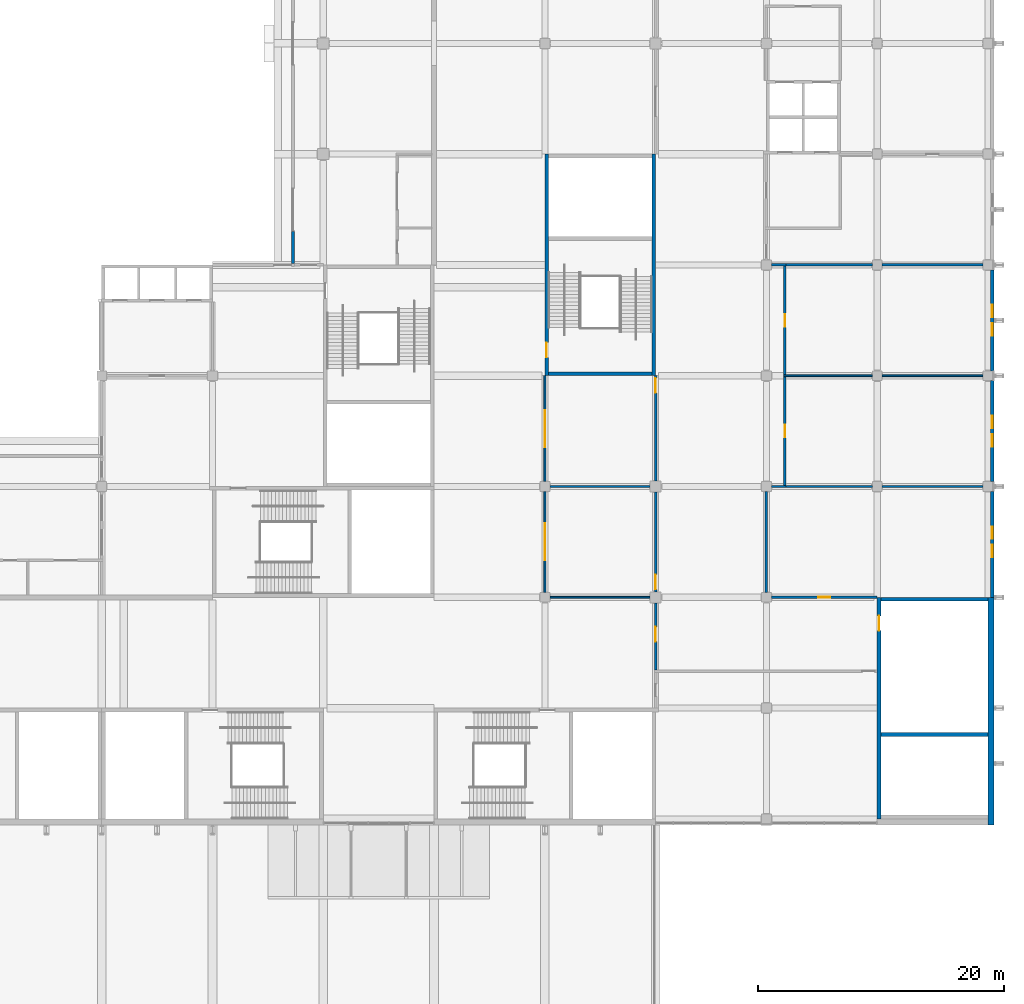
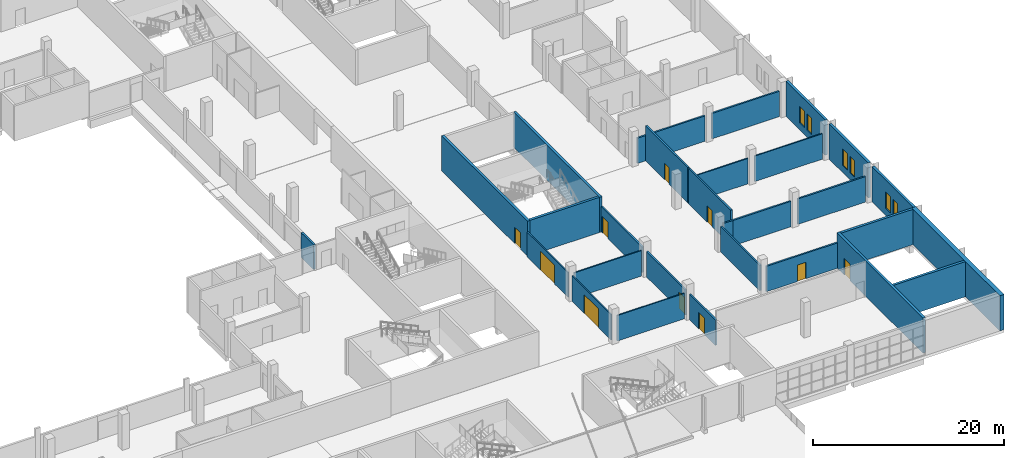
# One storey, part 101 of 168: 30 walls, 10 doors, 6 windows, 16 openings.
"""IFC4 building model written with IfcOpenShell, lengths in metres."""

from ifc_helpers import new_model, si_unit, direction, frame, frame_2d, origin, place, context, subcontext, project, spatial, rectangle, extrude, material, layer, layer_set, type_object, element, fill, save


model = new_model("IFC4")

# Units and contexts
model_context = context("Model", 3, precision=1e-05, world=origin(), true_north=direction((0.0, 1.0)))
body_context = subcontext(model_context, "Body", "Model", "MODEL_VIEW")
ifc_project = project(units=[si_unit("LENGTHUNIT", "METRE"), si_unit("AREAUNIT", "SQUARE_METRE"), si_unit("VOLUMEUNIT", "CUBIC_METRE"), si_unit("PLANEANGLEUNIT", "RADIAN"), si_unit("MASSUNIT", "GRAM", prefix="KILO")], contexts=[model_context])

# Site, building, storey
site_placement = place(None, origin())
site = spatial("IfcSite", under=ifc_project, at=site_placement, CompositionType="ELEMENT")
building_placement = place(site_placement, origin())
building = spatial("IfcBuilding", under=site, at=building_placement, Name="Silverbay Arena", CompositionType="ELEMENT")
storey_placement = place(building_placement, frame((0.0, 0.0, 7.0)))
storey = spatial("IfcBuildingStorey", under=building, at=storey_placement, Name="L01", CompositionType="ELEMENT", Elevation=7.0)

# Wall, openings, windows
ifc_material_1 = material(Name="Concrete Grade C45 precast, board-marked finish", Category="concrete")
ifc_layer_1 = layer(ifc_material_1, 0.300048828125)
ifc_layer_set_1 = layer_set([ifc_layer_1], Name="Concrete Grade C45 precast, board-marked finish")
wall_type_1 = type_object("IfcWallType", Name="Board-marked precast wall 300", PredefinedType="SOLIDWALL", material=ifc_layer_set_1)
wall_1_placement = place(storey_placement, frame((234.35009765625, 36.0, 0.0), z_axis=(0.0, 0.0, 1.0), x_axis=(0.0, 1.0, 0.0)))
wall_1 = element("IfcWall", 1, at=wall_1_placement, inside=storey, type_object=wall_type_1, Name="East external wall L01 bay 3", PredefinedType="SOLIDWALL", context=body_context, shape_type="SweptSolid", body=[
    extrude(rectangle(XDim=8.60009765625, YDim=0.300048828125, at=frame_2d((4.300048828125, 0.0))), origin(), (0.0, 0.0, 1.0), 4.5),
])
opening_1_placement = place(wall_1_placement, frame((3.25, 0.0, 0.89990234375)))
opening_1 = element("IfcOpeningElement", 2, at=opening_1_placement, cuts=wall_1, Name="Opening WN1", PredefinedType="OPENING", context=body_context, shape_type="SweptSolid", body=[
    extrude(rectangle(XDim=1.0, YDim=2.10009765625, at=frame_2d((0.5, 1.050048828125))), frame((0.0, 0.16015625, 0.0), z_axis=(0.0, -1.0, 0.0), x_axis=(1.0, 0.0, 0.0)), (0.0, 0.0, 1.0), 0.320068359375),
])
opening_2_placement = place(wall_1_placement, frame((4.75, 0.0, 0.89990234375)))
opening_2 = element("IfcOpeningElement", 3, at=opening_2_placement, cuts=wall_1, Name="Opening WN1", PredefinedType="OPENING", context=body_context, shape_type="SweptSolid", body=[
    extrude(rectangle(XDim=1.0, YDim=2.10009765625, at=frame_2d((0.5, 1.050048828125))), frame((0.0, 0.16015625, 0.0), z_axis=(0.0, -1.0, 0.0), x_axis=(1.0, 0.0, 0.0)), (0.0, 0.0, 1.0), 0.320068359375),
])
ifc_material_2 = material(Name="Aluminium frame with double glazing", Category="aluminium")
window_type = type_object("IfcWindowType", Name="Window 1000 x 2100", PartitioningType="SINGLE_PANEL", PredefinedType="WINDOW", material=ifc_material_2)
window_1_placement = place(opening_1_placement, origin())
window_1 = element("IfcWindow", 4, at=window_1_placement, inside=storey, type_object=window_type, Name="East facade window L01 bay 3.1", OverallHeight=2.10009765625, OverallWidth=1.0, PartitioningType="SINGLE_PANEL", PredefinedType="WINDOW", context=body_context, shape_type="SweptSolid", body=[
    extrude(rectangle(XDim=1.0, YDim=2.10009765625, at=frame_2d((0.5, 1.050048828125))), frame((0.0, 0.030029296875, 0.0), z_axis=(0.0, -1.0, 0.0), x_axis=(1.0, 0.0, 0.0)), (0.0, 0.0, 1.0), 0.06005859375),
])
fill(opening_1, window_1)
window_2_placement = place(opening_2_placement, origin())
window_2 = element("IfcWindow", 5, at=window_2_placement, inside=storey, type_object=window_type, Name="East facade window L01 bay 3.2", OverallHeight=2.10009765625, OverallWidth=1.0, PartitioningType="SINGLE_PANEL", PredefinedType="WINDOW", context=body_context, shape_type="SweptSolid", body=[
    extrude(rectangle(XDim=1.0, YDim=2.10009765625, at=frame_2d((0.5, 1.050048828125))), frame((0.0, 0.030029296875, 0.0), z_axis=(0.0, -1.0, 0.0), x_axis=(1.0, 0.0, 0.0)), (0.0, 0.0, 1.0), 0.06005859375),
])
fill(opening_2, window_2)

wall_2_placement = place(storey_placement, frame((234.35009765625, 45.39990234375, 0.0), z_axis=(0.0, 0.0, 1.0), x_axis=(0.0, 1.0, 0.0)))
wall_2 = element("IfcWall", 6, at=wall_2_placement, inside=storey, type_object=wall_type_1, Name="East external wall L01 bay 4", PredefinedType="SOLIDWALL", context=body_context, shape_type="SweptSolid", body=[
    extrude(rectangle(XDim=8.2001953125, YDim=0.300048828125, at=frame_2d((4.10009765625, 0.0))), origin(), (0.0, 0.0, 1.0), 4.5),
])
opening_3_placement = place(wall_2_placement, frame((2.85009765625, 0.0, 0.89990234375)))
opening_3 = element("IfcOpeningElement", 7, at=opening_3_placement, cuts=wall_2, Name="Opening WN1", PredefinedType="OPENING", context=body_context, shape_type="SweptSolid", body=[
    extrude(rectangle(XDim=1.0, YDim=2.10009765625, at=frame_2d((0.5, 1.050048828125))), frame((0.0, 0.16015625, 0.0), z_axis=(0.0, -1.0, 0.0), x_axis=(1.0, 0.0, 0.0)), (0.0, 0.0, 1.0), 0.320068359375),
])
opening_4_placement = place(wall_2_placement, frame((4.35009765625, 0.0, 0.89990234375)))
opening_4 = element("IfcOpeningElement", 8, at=opening_4_placement, cuts=wall_2, Name="Opening WN1", PredefinedType="OPENING", context=body_context, shape_type="SweptSolid", body=[
    extrude(rectangle(XDim=1.0, YDim=2.10009765625, at=frame_2d((0.5, 1.050048828125))), frame((0.0, 0.16015625, 0.0), z_axis=(0.0, -1.0, 0.0), x_axis=(1.0, 0.0, 0.0)), (0.0, 0.0, 1.0), 0.320068359375),
])
window_3_placement = place(opening_3_placement, origin())
window_3 = element("IfcWindow", 9, at=window_3_placement, inside=storey, type_object=window_type, Name="East facade window L01 bay 4.1", OverallHeight=2.10009765625, OverallWidth=1.0, PartitioningType="SINGLE_PANEL", PredefinedType="WINDOW", context=body_context, shape_type="SweptSolid", body=[
    extrude(rectangle(XDim=1.0, YDim=2.10009765625, at=frame_2d((0.5, 1.050048828125))), frame((0.0, 0.030029296875, 0.0), z_axis=(0.0, -1.0, 0.0), x_axis=(1.0, 0.0, 0.0)), (0.0, 0.0, 1.0), 0.06005859375),
])
fill(opening_3, window_3)
window_4_placement = place(opening_4_placement, origin())
window_4 = element("IfcWindow", 10, at=window_4_placement, inside=storey, type_object=window_type, Name="East facade window L01 bay 4.2", OverallHeight=2.10009765625, OverallWidth=1.0, PartitioningType="SINGLE_PANEL", PredefinedType="WINDOW", context=body_context, shape_type="SweptSolid", body=[
    extrude(rectangle(XDim=1.0, YDim=2.10009765625, at=frame_2d((0.5, 1.050048828125))), frame((0.0, 0.030029296875, 0.0), z_axis=(0.0, -1.0, 0.0), x_axis=(1.0, 0.0, 0.0)), (0.0, 0.0, 1.0), 0.06005859375),
])
fill(opening_4, window_4)

wall_3_placement = place(storey_placement, frame((234.35009765625, 54.39990234375, 0.0), z_axis=(0.0, 0.0, 1.0), x_axis=(0.0, 1.0, 0.0)))
wall_3 = element("IfcWall", 11, at=wall_3_placement, inside=storey, type_object=wall_type_1, Name="East external wall L01 bay 5", PredefinedType="SOLIDWALL", context=body_context, shape_type="SweptSolid", body=[
    extrude(rectangle(XDim=8.2001953125, YDim=0.300048828125, at=frame_2d((4.10009765625, 0.0))), origin(), (0.0, 0.0, 1.0), 4.5),
])
opening_5_placement = place(wall_3_placement, frame((2.85009765625, 0.0, 0.89990234375)))
opening_5 = element("IfcOpeningElement", 12, at=opening_5_placement, cuts=wall_3, Name="Opening WN1", PredefinedType="OPENING", context=body_context, shape_type="SweptSolid", body=[
    extrude(rectangle(XDim=1.0, YDim=2.10009765625, at=frame_2d((0.5, 1.050048828125))), frame((0.0, 0.16015625, 0.0), z_axis=(0.0, -1.0, 0.0), x_axis=(1.0, 0.0, 0.0)), (0.0, 0.0, 1.0), 0.320068359375),
])
opening_6_placement = place(wall_3_placement, frame((4.35009765625, 0.0, 0.89990234375)))
opening_6 = element("IfcOpeningElement", 13, at=opening_6_placement, cuts=wall_3, Name="Opening WN1", PredefinedType="OPENING", context=body_context, shape_type="SweptSolid", body=[
    extrude(rectangle(XDim=1.0, YDim=2.10009765625, at=frame_2d((0.5, 1.050048828125))), frame((0.0, 0.16015625, 0.0), z_axis=(0.0, -1.0, 0.0), x_axis=(1.0, 0.0, 0.0)), (0.0, 0.0, 1.0), 0.320068359375),
])
window_5_placement = place(opening_5_placement, origin())
window_5 = element("IfcWindow", 14, at=window_5_placement, inside=storey, type_object=window_type, Name="East facade window L01 bay 5.1", OverallHeight=2.10009765625, OverallWidth=1.0, PartitioningType="SINGLE_PANEL", PredefinedType="WINDOW", context=body_context, shape_type="SweptSolid", body=[
    extrude(rectangle(XDim=1.0, YDim=2.10009765625, at=frame_2d((0.5, 1.050048828125))), frame((0.0, 0.030029296875, 0.0), z_axis=(0.0, -1.0, 0.0), x_axis=(1.0, 0.0, 0.0)), (0.0, 0.0, 1.0), 0.06005859375),
])
fill(opening_5, window_5)
window_6_placement = place(opening_6_placement, origin())
window_6 = element("IfcWindow", 15, at=window_6_placement, inside=storey, type_object=window_type, Name="East facade window L01 bay 5.2", OverallHeight=2.10009765625, OverallWidth=1.0, PartitioningType="SINGLE_PANEL", PredefinedType="WINDOW", context=body_context, shape_type="SweptSolid", body=[
    extrude(rectangle(XDim=1.0, YDim=2.10009765625, at=frame_2d((0.5, 1.050048828125))), frame((0.0, 0.030029296875, 0.0), z_axis=(0.0, -1.0, 0.0), x_axis=(1.0, 0.0, 0.0)), (0.0, 0.0, 1.0), 0.06005859375),
])
fill(opening_6, window_6)

# Wall
ifc_material_3 = material(Name="Concrete Grade C45", Category="concrete")
ifc_layer_2 = layer(ifc_material_3, 0.25)
ifc_layer_set_2 = layer_set([ifc_layer_2], Name="Concrete Grade C45")
wall_type_2 = type_object("IfcWallType", Name="Bowl enclosure wall RC 250 EI 120", PredefinedType="SOLIDWALL", material=ifc_layer_set_2)
wall_4_placement = place(storey_placement, frame((177.52490234375, 63.125, 0.0), z_axis=(0.0, 0.0, 1.0), x_axis=(0.0, 1.0, 0.0)))
element("IfcWall", 16, at=wall_4_placement, inside=storey, type_object=wall_type_2, Name="Bowl enclosure wall, East stand", PredefinedType="SOLIDWALL", context=body_context, shape_type="SweptSolid", body=[
    extrude(rectangle(XDim=2.574951171875, YDim=0.25, at=frame_2d((1.28759765625, 0.0))), origin(), (0.0, 0.0, 1.0), 3.14990234375),
])

# Wall, opening, door
ifc_material_4 = material(Name="Concrete Grade C45", Category="concrete")
ifc_layer_3 = layer(ifc_material_4, 0.300048828125)
ifc_layer_set_3 = layer_set([ifc_layer_3], Name="Concrete Grade C45")
wall_type_3 = type_object("IfcWallType", Name="Core wall RC 300 EI 120", PredefinedType="SHEAR", material=ifc_layer_set_3)
wall_5_placement = place(storey_placement, frame((198.14990234375, 54.0, 0.0), z_axis=(0.0, 0.0, 1.0), x_axis=(0.0, 1.0, 0.0)))
wall_5 = element("IfcWall", 17, at=wall_5_placement, inside=storey, type_object=wall_type_3, Name="Core wall ST-E1 L01 door side", PredefinedType="SHEAR", context=body_context, shape_type="SweptSolid", body=[
    extrude(rectangle(XDim=18.0, YDim=0.300048828125, at=frame_2d((9.0, 0.0))), origin(), (0.0, 0.0, 1.0), 4.5),
])
opening_7_placement = place(wall_5_placement, frame((1.5, 0.0, 0.0)))
opening_7 = element("IfcOpeningElement", 18, at=opening_7_placement, cuts=wall_5, Name="Opening L01-115", PredefinedType="OPENING", context=body_context, shape_type="SweptSolid", body=[
    extrude(rectangle(XDim=1.199951171875, YDim=2.10009765625, at=frame_2d((0.60009765625, 1.050048828125))), frame((0.0, 0.16015625, 0.0), z_axis=(0.0, -1.0, 0.0), x_axis=(1.0, 0.0, 0.0)), (0.0, 0.0, 1.0), 0.320068359375),
])
ifc_material_5 = material(Name="Steel fire door", Category="steel")
door_type_1 = type_object("IfcDoorType", Name="Stair door 1200 x 2100 fire door", OperationType="SINGLE_SWING_LEFT", PredefinedType="DOOR", material=ifc_material_5)
door_1_placement = place(opening_7_placement, frame((1.199951171875, 0.0, 0.0), z_axis=(0.0, 0.0, 1.0), x_axis=(-1.0, 0.0, 0.0)))
door_1 = element("IfcDoor", 19, at=door_1_placement, inside=storey, type_object=door_type_1, Name="Stair door ST-E1 L01", OperationType="SINGLE_SWING_RIGHT", OverallHeight=2.10009765625, OverallWidth=1.199951171875, PredefinedType="DOOR", context=body_context, shape_type="SweptSolid", body=[
    extrude(rectangle(XDim=1.199951171875, YDim=2.10009765625, at=frame_2d((0.60009765625, 1.050048828125))), frame((0.0, 0.02490234375, 0.0), z_axis=(0.0, -1.0, 0.0), x_axis=(1.0, 0.0, 0.0)), (0.0, 0.0, 1.0), 0.050048828125),
])
fill(opening_7, door_1)

# Walls
wall_6_placement = place(storey_placement, frame((206.85009765625, 54.0, 0.0), z_axis=(0.0, 0.0, 1.0), x_axis=(0.0, 1.0, 0.0)))
element("IfcWall", 20, at=wall_6_placement, inside=storey, type_object=wall_type_3, Name="Core wall ST-E1 L01 far side", PredefinedType="SHEAR", context=body_context, shape_type="SweptSolid", body=[
    extrude(rectangle(XDim=18.0, YDim=0.300048828125, at=frame_2d((9.0, 0.0))), origin(), (0.0, 0.0, 1.0), 4.5),
])
wall_7_placement = place(storey_placement, frame((198.300048828125, 54.14990234375, 0.0), z_axis=(0.0, 0.0, 1.0), x_axis=(1.0, 0.0, 0.0)))
element("IfcWall", 21, at=wall_7_placement, inside=storey, type_object=wall_type_3, Name="Core wall ST-E1 L01 end 1", PredefinedType="SHEAR", context=body_context, shape_type="SweptSolid", body=[
    extrude(rectangle(XDim=8.39990234375, YDim=0.300048828125, at=frame_2d((4.199951171875, 0.0))), origin(), (0.0, 0.0, 1.0), 4.5),
])

# Wall, opening, door
wall_8_placement = place(storey_placement, frame((225.14990234375, 36.0, 0.0), z_axis=(0.0, 0.0, 1.0), x_axis=(0.0, -1.0, 0.0)))
wall_8 = element("IfcWall", 22, at=wall_8_placement, inside=storey, type_object=wall_type_3, Name="Core wall ST-EG1 L01 door side", PredefinedType="SHEAR", context=body_context, shape_type="SweptSolid", body=[
    extrude(rectangle(XDim=18.0, YDim=0.300048828125, at=frame_2d((9.0, 0.0))), origin(), (0.0, 0.0, 1.0), 4.5),
])
opening_8_placement = place(wall_8_placement, frame((1.5, 0.0, 0.0)))
opening_8 = element("IfcOpeningElement", 23, at=opening_8_placement, cuts=wall_8, Name="Opening L01-127", PredefinedType="OPENING", context=body_context, shape_type="SweptSolid", body=[
    extrude(rectangle(XDim=1.199951171875, YDim=2.10009765625, at=frame_2d((0.60009765625, 1.050048828125))), frame((0.0, 0.16015625, 0.0), z_axis=(0.0, -1.0, 0.0), x_axis=(1.0, 0.0, 0.0)), (0.0, 0.0, 1.0), 0.320068359375),
])
door_2_placement = place(opening_8_placement, origin())
door_2 = element("IfcDoor", 24, at=door_2_placement, inside=storey, type_object=door_type_1, Name="Stair door ST-EG1 L01", OperationType="SINGLE_SWING_LEFT", OverallHeight=2.10009765625, OverallWidth=1.199951171875, PredefinedType="DOOR", context=body_context, shape_type="SweptSolid", body=[
    extrude(rectangle(XDim=1.199951171875, YDim=2.10009765625, at=frame_2d((0.60009765625, 1.050048828125))), frame((0.0, 0.02490234375, 0.0), z_axis=(0.0, -1.0, 0.0), x_axis=(1.0, 0.0, 0.0)), (0.0, 0.0, 1.0), 0.050048828125),
])
fill(opening_8, door_2)

# Walls
for number, where, z_axis, x_axis, name in (
    (25, (225.300048828125, 35.85009765625, 0.0), (0.0, 0.0, 1.0), (1.0, 0.0, 0.0), "Core wall ST-EG1 L01 end 1"),
    (26, (225.300048828125, 24.85009765625, 0.0), (0.0, 0.0, 1.0), (1.0, 0.0, 0.0), "Core wall ST-EG1 L01 stair enclosure"),
):
    element("IfcWall", number, at=place(storey_placement, frame(where, z_axis=z_axis, x_axis=x_axis)), inside=storey, type_object=wall_type_3, Name=name, PredefinedType="SHEAR", context=body_context, shape_type="SweptSolid", body=[
        extrude(rectangle(XDim=8.699951171875, YDim=0.300048828125, at=frame_2d((4.35009765625, 0.0))), origin(), (0.0, 0.0, 1.0), 4.5),
    ])
ifc_material_6 = material(Name="Concrete Grade C45", Category="concrete")
ifc_layer_4 = layer(ifc_material_6, 0.5)
ifc_layer_set_4 = layer_set([ifc_layer_4], Name="Concrete Grade C45")
wall_type_4 = type_object("IfcWallType", Name="Core wall RC 500 external EI 120", PredefinedType="SHEAR", material=ifc_layer_set_4)
wall_9_placement = place(storey_placement, frame((234.25, 36.0, 0.0), z_axis=(0.0, 0.0, 1.0), x_axis=(0.0, -1.0, 0.0)))
element("IfcWall", 27, at=wall_9_placement, inside=storey, type_object=wall_type_4, Name="Core wall ST-EG1 L01 facade side", PredefinedType="SHEAR", context=body_context, shape_type="SweptSolid", body=[
    extrude(rectangle(XDim=18.5, YDim=0.5, at=frame_2d((9.25, 0.0))), origin(), (0.0, 0.0, 1.0), 4.5),
])
ifc_material_7 = material(Name="Gypsum board partition on steel studs", Category="steel")
ifc_layer_5 = layer(ifc_material_7, 0.14990234375)
ifc_layer_set_5 = layer_set([ifc_layer_5], Name="Gypsum board partition on steel studs")
wall_type_5 = type_object("IfcWallType", Name="Partition 150 EI 60", PredefinedType="PARTITIONING", material=ifc_layer_set_5)
for number, where, z_axis, x_axis, name in (
    (28, (198.39990234375, 36.0, 0.0), (0.0, 0.0, 1.0), (1.0, 0.0, 0.0), "Partition wall"),
    (29, (198.39990234375, 45.0, 0.0), (0.0, 0.0, 1.0), (1.0, 0.0, 0.0), "Partition wall"),
):
    element("IfcWall", number, at=place(storey_placement, frame(where, z_axis=z_axis, x_axis=x_axis)), inside=storey, type_object=wall_type_5, Name=name, PredefinedType="PARTITIONING", context=body_context, shape_type="SweptSolid", body=[
        extrude(rectangle(XDim=8.150146484375, YDim=0.14990234375, at=frame_2d((4.0751953125, 0.0))), origin(), (0.0, 0.0, 1.0), 3.25),
    ])
wall_10_placement = place(storey_placement, frame((225.39990234375, 54.0, 0.0), z_axis=(0.0, 0.0, 1.0), x_axis=(1.0, 0.0, 0.0)))
element("IfcWall", 30, at=wall_10_placement, inside=storey, type_object=wall_type_5, Name="Partition wall", PredefinedType="PARTITIONING", context=body_context, shape_type="SweptSolid", body=[
    extrude(rectangle(XDim=8.2001953125, YDim=0.14990234375, at=frame_2d((4.10009765625, 0.0))), origin(), (0.0, 0.0, 1.0), 3.25),
])
wall_11_placement = place(storey_placement, frame((217.39990234375, 54.0, 0.0), z_axis=(0.0, 0.0, 1.0), x_axis=(1.0, 0.0, 0.0)))
element("IfcWall", 31, at=wall_11_placement, inside=storey, type_object=wall_type_5, Name="Partition wall", PredefinedType="PARTITIONING", context=body_context, shape_type="SweptSolid", body=[
    extrude(rectangle(XDim=7.2001953125, YDim=0.14990234375, at=frame_2d((3.60009765625, 0.0))), origin(), (0.0, 0.0, 1.0), 3.25),
])

# Wall, opening, door
wall_12_placement = place(storey_placement, frame((198.0, 36.39990234375, 0.0), z_axis=(0.0, 0.0, 1.0), x_axis=(0.0, 1.0, 0.0)))
wall_12 = element("IfcWall", 32, at=wall_12_placement, inside=storey, type_object=wall_type_5, Name="Partition wall", PredefinedType="PARTITIONING", context=body_context, shape_type="SweptSolid", body=[
    extrude(rectangle(XDim=8.2001953125, YDim=0.14990234375, at=frame_2d((4.10009765625, 0.0))), origin(), (0.0, 0.0, 1.0), 3.25),
])
opening_9_placement = place(wall_12_placement, frame((2.60009765625, 0.0, 0.0)))
opening_9 = element("IfcOpeningElement", 33, at=opening_9_placement, cuts=wall_12, Name="Opening L01-009", PredefinedType="OPENING", context=body_context, shape_type="SweptSolid", body=[
    extrude(rectangle(XDim=3.0, YDim=2.39990234375, at=frame_2d((1.5, 1.199951171875))), frame((0.0, 0.0849609375, 0.0), z_axis=(0.0, -1.0, 0.0), x_axis=(1.0, 0.0, 0.0)), (0.0, 0.0, 1.0), 0.169921875),
])
ifc_material_8 = material(Name="Steel", Category="steel")
door_type_2 = type_object("IfcDoorType", Name="Roller shutter 3000 x 2400 FD30S", OperationType="ROLLINGUP", PredefinedType="DOOR", material=ifc_material_8)
door_3_placement = place(opening_9_placement, origin())
door_3 = element("IfcDoor", 34, at=door_3_placement, inside=storey, type_object=door_type_2, Name="Door L01-009", OperationType="ROLLINGUP", OverallHeight=2.39990234375, OverallWidth=3.0, PredefinedType="DOOR", context=body_context, shape_type="SweptSolid", body=[
    extrude(rectangle(XDim=3.0, YDim=2.39990234375, at=frame_2d((1.5, 1.199951171875))), frame((0.0, 0.02490234375, 0.0), z_axis=(0.0, -1.0, 0.0), x_axis=(1.0, 0.0, 0.0)), (0.0, 0.0, 1.0), 0.050048828125),
])
fill(opening_9, door_3)

wall_13_placement = place(storey_placement, frame((198.0, 45.39990234375, 0.0), z_axis=(0.0, 0.0, 1.0), x_axis=(0.0, 1.0, 0.0)))
wall_13 = element("IfcWall", 35, at=wall_13_placement, inside=storey, type_object=wall_type_5, Name="Partition wall", PredefinedType="PARTITIONING", context=body_context, shape_type="SweptSolid", body=[
    extrude(rectangle(XDim=8.60009765625, YDim=0.14990234375, at=frame_2d((4.300048828125, 0.0))), origin(), (0.0, 0.0, 1.0), 3.14990234375),
])
opening_10_placement = place(wall_13_placement, frame((2.800048828125, 0.0, 0.0)))
opening_10 = element("IfcOpeningElement", 36, at=opening_10_placement, cuts=wall_13, Name="Opening L01-010", PredefinedType="OPENING", context=body_context, shape_type="SweptSolid", body=[
    extrude(rectangle(XDim=3.0, YDim=2.39990234375, at=frame_2d((1.5, 1.199951171875))), frame((0.0, 0.0849609375, 0.0), z_axis=(0.0, -1.0, 0.0), x_axis=(1.0, 0.0, 0.0)), (0.0, 0.0, 1.0), 0.169921875),
])
door_4_placement = place(opening_10_placement, origin())
door_4 = element("IfcDoor", 37, at=door_4_placement, inside=storey, type_object=door_type_2, Name="Door L01-010", OperationType="ROLLINGUP", OverallHeight=2.39990234375, OverallWidth=3.0, PredefinedType="DOOR", context=body_context, shape_type="SweptSolid", body=[
    extrude(rectangle(XDim=3.0, YDim=2.39990234375, at=frame_2d((1.5, 1.199951171875))), frame((0.0, 0.02490234375, 0.0), z_axis=(0.0, -1.0, 0.0), x_axis=(1.0, 0.0, 0.0)), (0.0, 0.0, 1.0), 0.050048828125),
])
fill(opening_10, door_4)

ifc_material_9 = material(Name="Masonry blockwork partition", Category="masonry")
ifc_layer_6 = layer(ifc_material_9, 0.199951171875)
ifc_layer_set_6 = layer_set([ifc_layer_6], Name="Masonry blockwork partition")
wall_type_6 = type_object("IfcWallType", Name="Partition 200 EI 120", PredefinedType="PARTITIONING", material=ifc_layer_set_6)
wall_14_placement = place(storey_placement, frame((216.39990234375, 36.0, 0.0), z_axis=(0.0, 0.0, 1.0), x_axis=(1.0, 0.0, 0.0)))
wall_14 = element("IfcWall", 38, at=wall_14_placement, inside=storey, type_object=wall_type_6, Name="Partition wall", PredefinedType="PARTITIONING", context=body_context, shape_type="SweptSolid", body=[
    extrude(rectangle(XDim=8.60009765625, YDim=0.199951171875, at=frame_2d((4.300048828125, 0.0))), origin(), (0.0, 0.0, 1.0), 3.25),
])
opening_11_placement = place(wall_14_placement, frame((3.800048828125, 0.0, 0.0)))
opening_11 = element("IfcOpeningElement", 39, at=opening_11_placement, cuts=wall_14, Name="Opening L01-045", PredefinedType="OPENING", context=body_context, shape_type="SweptSolid", body=[
    extrude(rectangle(XDim=1.0, YDim=2.10009765625, at=frame_2d((0.5, 1.050048828125))), frame((0.0, 0.10986328125, 0.0), z_axis=(0.0, -1.0, 0.0), x_axis=(1.0, 0.0, 0.0)), (0.0, 0.0, 1.0), 0.219970703125),
])
ifc_material_10 = material(Name="Steel faced timber", Category="steel")
door_type_3 = type_object("IfcDoorType", Name="Single leaf door 1000 x 2100 FD120", OperationType="SINGLE_SWING_LEFT", PredefinedType="DOOR", material=ifc_material_10)
door_5_placement = place(opening_11_placement, origin())
door_5 = element("IfcDoor", 40, at=door_5_placement, inside=storey, type_object=door_type_3, Name="Door L01-045", OperationType="SINGLE_SWING_LEFT", OverallHeight=2.10009765625, OverallWidth=1.0, PredefinedType="DOOR", context=body_context, shape_type="SweptSolid", body=[
    extrude(rectangle(XDim=1.0, YDim=2.10009765625, at=frame_2d((0.5, 1.050048828125))), frame((0.0, 0.02490234375, 0.0), z_axis=(0.0, -1.0, 0.0), x_axis=(1.0, 0.0, 0.0)), (0.0, 0.0, 1.0), 0.050048828125),
])
fill(opening_11, door_5)

# Walls
for number, where, z_axis, x_axis, name in (
    (41, (216.39990234375, 45.0, 0.0), (0.0, 0.0, 1.0), (1.0, 0.0, 0.0), "Partition wall"),
    (42, (216.39990234375, 63.0, 0.0), (0.0, 0.0, 1.0), (1.0, 0.0, 0.0), "Partition wall"),
):
    element("IfcWall", number, at=place(storey_placement, frame(where, z_axis=z_axis, x_axis=x_axis)), inside=storey, type_object=wall_type_6, Name=name, PredefinedType="PARTITIONING", context=body_context, shape_type="SweptSolid", body=[
        extrude(rectangle(XDim=1.2001953125, YDim=0.199951171875, at=frame_2d((0.60009765625, 0.0))), origin(), (0.0, 0.0, 1.0), 3.25),
    ])

# Wall, opening, door
wall_15_placement = place(storey_placement, frame((207.0, 30.10009765625, 0.0), z_axis=(0.0, 0.0, 1.0), x_axis=(0.0, 1.0, 0.0)))
wall_15 = element("IfcWall", 43, at=wall_15_placement, inside=storey, type_object=wall_type_6, Name="Partition wall", PredefinedType="PARTITIONING", context=body_context, shape_type="SweptSolid", body=[
    extrude(rectangle(XDim=5.449951171875, YDim=0.199951171875, at=frame_2d((2.72509765625, 0.0))), origin(), (0.0, 0.0, 1.0), 3.25),
])
opening_12_placement = place(wall_15_placement, frame((2.300048828125, 0.0, 0.0)))
opening_12 = element("IfcOpeningElement", 44, at=opening_12_placement, cuts=wall_15, Name="Opening L01-063", PredefinedType="OPENING", context=body_context, shape_type="SweptSolid", body=[
    extrude(rectangle(XDim=1.199951171875, YDim=2.10009765625, at=frame_2d((0.60009765625, 1.050048828125))), frame((0.0, 0.10986328125, 0.0), z_axis=(0.0, -1.0, 0.0), x_axis=(1.0, 0.0, 0.0)), (0.0, 0.0, 1.0), 0.219970703125),
])
ifc_material_11 = material(Name="Steel faced timber", Category="steel")
door_type_4 = type_object("IfcDoorType", Name="Single leaf door 1200 x 2100 FD120", OperationType="SINGLE_SWING_LEFT", PredefinedType="DOOR", material=ifc_material_11)
door_6_placement = place(opening_12_placement, origin())
door_6 = element("IfcDoor", 45, at=door_6_placement, inside=storey, type_object=door_type_4, Name="Door L01-063", OperationType="SINGLE_SWING_RIGHT", OverallHeight=2.10009765625, OverallWidth=1.199951171875, PredefinedType="DOOR", context=body_context, shape_type="SweptSolid", body=[
    extrude(rectangle(XDim=1.199951171875, YDim=2.10009765625, at=frame_2d((0.60009765625, 1.050048828125))), frame((0.0, 0.02490234375, 0.0), z_axis=(0.0, -1.0, 0.0), x_axis=(1.0, 0.0, 0.0)), (0.0, 0.0, 1.0), 0.050048828125),
])
fill(opening_12, door_6)

wall_16_placement = place(storey_placement, frame((207.0, 36.449951171875, 0.0), z_axis=(0.0, 0.0, 1.0), x_axis=(0.0, 1.0, 0.0)))
wall_16 = element("IfcWall", 46, at=wall_16_placement, inside=storey, type_object=wall_type_6, Name="Partition wall", PredefinedType="PARTITIONING", context=body_context, shape_type="SweptSolid", body=[
    extrude(rectangle(XDim=8.10009765625, YDim=0.199951171875, at=frame_2d((4.050048828125, 0.0))), origin(), (0.0, 0.0, 1.0), 3.25),
])
opening_13_placement = place(wall_16_placement, frame((0.199951171875, 0.0, 0.0)))
opening_13 = element("IfcOpeningElement", 47, at=opening_13_placement, cuts=wall_16, Name="Opening L01-081", PredefinedType="OPENING", context=body_context, shape_type="SweptSolid", body=[
    extrude(rectangle(XDim=1.199951171875, YDim=2.10009765625, at=frame_2d((0.60009765625, 1.050048828125))), frame((0.0, 0.10986328125, 0.0), z_axis=(0.0, -1.0, 0.0), x_axis=(1.0, 0.0, 0.0)), (0.0, 0.0, 1.0), 0.219970703125),
])
door_7_placement = place(opening_13_placement, origin())
door_7 = element("IfcDoor", 48, at=door_7_placement, inside=storey, type_object=door_type_4, Name="Door L01-081", OperationType="SINGLE_SWING_LEFT", OverallHeight=2.10009765625, OverallWidth=1.199951171875, PredefinedType="DOOR", context=body_context, shape_type="SweptSolid", body=[
    extrude(rectangle(XDim=1.199951171875, YDim=2.10009765625, at=frame_2d((0.60009765625, 1.050048828125))), frame((0.0, 0.02490234375, 0.0), z_axis=(0.0, -1.0, 0.0), x_axis=(1.0, 0.0, 0.0)), (0.0, 0.0, 1.0), 0.050048828125),
])
fill(opening_13, door_7)

wall_17_placement = place(storey_placement, frame((207.0, 45.449951171875, 0.0), z_axis=(0.0, 0.0, 1.0), x_axis=(0.0, 1.0, 0.0)))
wall_17 = element("IfcWall", 49, at=wall_17_placement, inside=storey, type_object=wall_type_6, Name="Partition wall", PredefinedType="PARTITIONING", context=body_context, shape_type="SweptSolid", body=[
    extrude(rectangle(XDim=8.550048828125, YDim=0.199951171875, at=frame_2d((4.27490234375, 0.0))), origin(), (0.0, 0.0, 1.0), 3.25),
])
opening_14_placement = place(wall_17_placement, frame((7.14990234375, 0.0, 0.0)))
opening_14 = element("IfcOpeningElement", 50, at=opening_14_placement, cuts=wall_17, Name="Opening L01-082", PredefinedType="OPENING", context=body_context, shape_type="SweptSolid", body=[
    extrude(rectangle(XDim=1.199951171875, YDim=2.10009765625, at=frame_2d((0.60009765625, 1.050048828125))), frame((0.0, 0.10986328125, 0.0), z_axis=(0.0, -1.0, 0.0), x_axis=(1.0, 0.0, 0.0)), (0.0, 0.0, 1.0), 0.219970703125),
])
door_8_placement = place(opening_14_placement, origin())
door_8 = element("IfcDoor", 51, at=door_8_placement, inside=storey, type_object=door_type_4, Name="Door L01-082", OperationType="SINGLE_SWING_RIGHT", OverallHeight=2.10009765625, OverallWidth=1.199951171875, PredefinedType="DOOR", context=body_context, shape_type="SweptSolid", body=[
    extrude(rectangle(XDim=1.199951171875, YDim=2.10009765625, at=frame_2d((0.60009765625, 1.050048828125))), frame((0.0, 0.02490234375, 0.0), z_axis=(0.0, -1.0, 0.0), x_axis=(1.0, 0.0, 0.0)), (0.0, 0.0, 1.0), 0.050048828125),
])
fill(opening_14, door_8)

# Wall
wall_18_placement = place(storey_placement, frame((216.0, 36.39990234375, 0.0), z_axis=(0.0, 0.0, 1.0), x_axis=(0.0, 1.0, 0.0)))
element("IfcWall", 52, at=wall_18_placement, inside=storey, type_object=wall_type_6, Name="Partition wall", PredefinedType="PARTITIONING", context=body_context, shape_type="SweptSolid", body=[
    extrude(rectangle(XDim=8.2001953125, YDim=0.199951171875, at=frame_2d((4.10009765625, 0.0))), origin(), (0.0, 0.0, 1.0), 3.25),
])

# Wall, opening, door
wall_19_placement = place(storey_placement, frame((217.5, 45.10009765625, 0.0), z_axis=(0.0, 0.0, 1.0), x_axis=(0.0, 1.0, 0.0)))
wall_19 = element("IfcWall", 53, at=wall_19_placement, inside=storey, type_object=wall_type_6, Name="Partition wall", PredefinedType="PARTITIONING", context=body_context, shape_type="SweptSolid", body=[
    extrude(rectangle(XDim=8.824951171875, YDim=0.199951171875, at=frame_2d((4.41259765625, 0.0))), origin(), (0.0, 0.0, 1.0), 4.5),
])
opening_15_placement = place(wall_19_placement, frame((3.912109375, 0.0, 0.0)))
opening_15 = element("IfcOpeningElement", 54, at=opening_15_placement, cuts=wall_19, Name="Opening L01-046", PredefinedType="OPENING", context=body_context, shape_type="SweptSolid", body=[
    extrude(rectangle(XDim=1.0, YDim=2.10009765625, at=frame_2d((0.5, 1.050048828125))), frame((0.0, 0.10986328125, 0.0), z_axis=(0.0, -1.0, 0.0), x_axis=(1.0, 0.0, 0.0)), (0.0, 0.0, 1.0), 0.219970703125),
])
door_9_placement = place(opening_15_placement, frame((1.0, 0.0, 0.0), z_axis=(0.0, 0.0, 1.0), x_axis=(-1.0, 0.0, 0.0)))
door_9 = element("IfcDoor", 55, at=door_9_placement, inside=storey, type_object=door_type_3, Name="Door L01-046", OperationType="SINGLE_SWING_LEFT", OverallHeight=2.10009765625, OverallWidth=1.0, PredefinedType="DOOR", context=body_context, shape_type="SweptSolid", body=[
    extrude(rectangle(XDim=1.0, YDim=2.10009765625, at=frame_2d((0.5, 1.050048828125))), frame((0.0, 0.02490234375, 0.0), z_axis=(0.0, -1.0, 0.0), x_axis=(1.0, 0.0, 0.0)), (0.0, 0.0, 1.0), 0.050048828125),
])
fill(opening_15, door_9)

wall_20_placement = place(storey_placement, frame((217.5, 54.074951171875, 0.0), z_axis=(0.0, 0.0, 1.0), x_axis=(0.0, 1.0, 0.0)))
wall_20 = element("IfcWall", 56, at=wall_20_placement, inside=storey, type_object=wall_type_6, Name="Partition wall", PredefinedType="PARTITIONING", context=body_context, shape_type="SweptSolid", body=[
    extrude(rectangle(XDim=8.824951171875, YDim=0.199951171875, at=frame_2d((4.41259765625, 0.0))), origin(), (0.0, 0.0, 1.0), 4.5),
])
opening_16_placement = place(wall_20_placement, frame((3.912109375, 0.0, 0.0)))
opening_16 = element("IfcOpeningElement", 57, at=opening_16_placement, cuts=wall_20, Name="Opening L01-047", PredefinedType="OPENING", context=body_context, shape_type="SweptSolid", body=[
    extrude(rectangle(XDim=1.0, YDim=2.10009765625, at=frame_2d((0.5, 1.050048828125))), frame((0.0, 0.10986328125, 0.0), z_axis=(0.0, -1.0, 0.0), x_axis=(1.0, 0.0, 0.0)), (0.0, 0.0, 1.0), 0.219970703125),
])
door_10_placement = place(opening_16_placement, frame((1.0, 0.0, 0.0), z_axis=(0.0, 0.0, 1.0), x_axis=(-1.0, 0.0, 0.0)))
door_10 = element("IfcDoor", 58, at=door_10_placement, inside=storey, type_object=door_type_3, Name="Door L01-047", OperationType="SINGLE_SWING_RIGHT", OverallHeight=2.10009765625, OverallWidth=1.0, PredefinedType="DOOR", context=body_context, shape_type="SweptSolid", body=[
    extrude(rectangle(XDim=1.0, YDim=2.10009765625, at=frame_2d((0.5, 1.050048828125))), frame((0.0, 0.02490234375, 0.0), z_axis=(0.0, -1.0, 0.0), x_axis=(1.0, 0.0, 0.0)), (0.0, 0.0, 1.0), 0.050048828125),
])
fill(opening_16, door_10)

# Walls
ifc_material_12 = material(Name="Gypsum board partition on steel studs", Category="steel")
ifc_layer_7 = layer(ifc_material_12, 0.199951171875)
ifc_layer_set_7 = layer_set([ifc_layer_7], Name="Gypsum board partition on steel studs")
wall_type_7 = type_object("IfcWallType", Name="Partition 200 EI 60", PredefinedType="PARTITIONING", material=ifc_layer_set_7)
wall_21_placement = place(storey_placement, frame((225.39990234375, 45.0, 0.0), z_axis=(0.0, 0.0, 1.0), x_axis=(1.0, 0.0, 0.0)))
element("IfcWall", 59, at=wall_21_placement, inside=storey, type_object=wall_type_7, Name="Partition wall", PredefinedType="PARTITIONING", context=body_context, shape_type="SweptSolid", body=[
    extrude(rectangle(XDim=8.2001953125, YDim=0.199951171875, at=frame_2d((4.10009765625, 0.0))), origin(), (0.0, 0.0, 1.0), 3.25),
])
wall_22_placement = place(storey_placement, frame((217.60009765625, 45.0, 0.0), z_axis=(0.0, 0.0, 1.0), x_axis=(1.0, 0.0, 0.0)))
element("IfcWall", 60, at=wall_22_placement, inside=storey, type_object=wall_type_7, Name="Partition wall", PredefinedType="PARTITIONING", context=body_context, shape_type="SweptSolid", body=[
    extrude(rectangle(XDim=7.0, YDim=0.199951171875, at=frame_2d((3.5, 0.0))), origin(), (0.0, 0.0, 1.0), 3.25),
])
wall_23_placement = place(storey_placement, frame((225.39990234375, 63.0, 0.0), z_axis=(0.0, 0.0, 1.0), x_axis=(1.0, 0.0, 0.0)))
element("IfcWall", 61, at=wall_23_placement, inside=storey, type_object=wall_type_7, Name="Partition wall", PredefinedType="PARTITIONING", context=body_context, shape_type="SweptSolid", body=[
    extrude(rectangle(XDim=8.2001953125, YDim=0.199951171875, at=frame_2d((4.10009765625, 0.0))), origin(), (0.0, 0.0, 1.0), 3.25),
])
wall_24_placement = place(storey_placement, frame((217.60009765625, 63.0, 0.0), z_axis=(0.0, 0.0, 1.0), x_axis=(1.0, 0.0, 0.0)))
element("IfcWall", 62, at=wall_24_placement, inside=storey, type_object=wall_type_7, Name="Partition wall", PredefinedType="PARTITIONING", context=body_context, shape_type="SweptSolid", body=[
    extrude(rectangle(XDim=7.0, YDim=0.199951171875, at=frame_2d((3.5, 0.0))), origin(), (0.0, 0.0, 1.0), 3.25),
])

save(model, "model.ifc")
